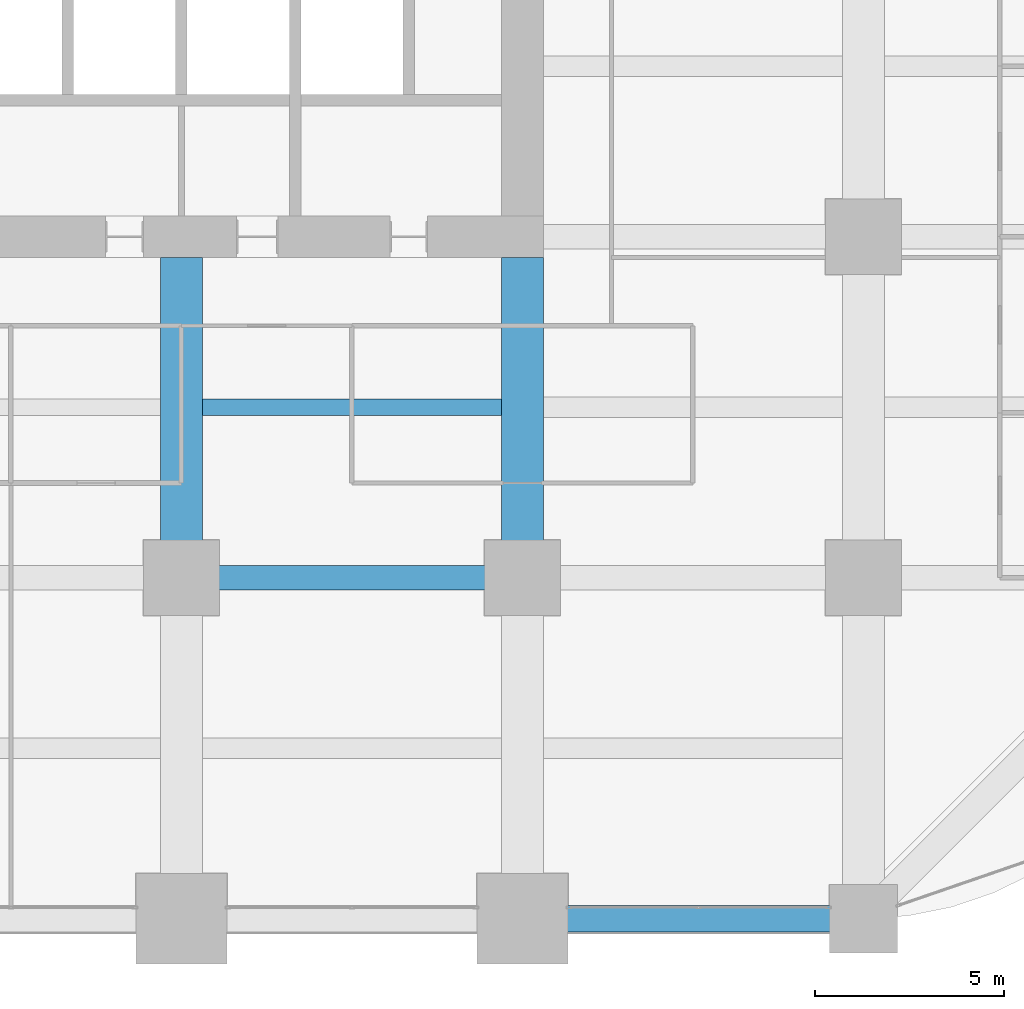
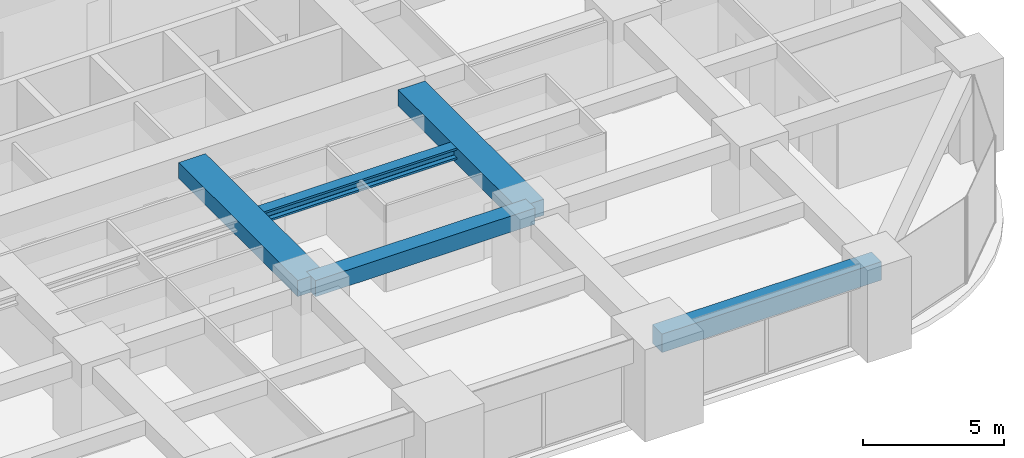
# One storey, part 15 of 41: 5 beams.
"""IFC4 building model written with IfcOpenShell, lengths in metres."""

from ifc_helpers import new_model, si_unit, direction, frame, origin, origin_2d, place, context, subcontext, project, spatial, rectangle, i_section, extrude, material, material_profile, profile_set, type_object, element, save


model = new_model("IFC4")

# Units and contexts
model_context = context("Model", 3, precision=1e-05, world=origin(), true_north=direction((0.0, 1.0)))
body_context = subcontext(model_context, "Body", "Model", "MODEL_VIEW")
ifc_project = project(units=[si_unit("LENGTHUNIT", "METRE"), si_unit("AREAUNIT", "SQUARE_METRE"), si_unit("VOLUMEUNIT", "CUBIC_METRE"), si_unit("PLANEANGLEUNIT", "RADIAN"), si_unit("MASSUNIT", "GRAM", prefix="KILO")], contexts=[model_context])

# Site, building, storey
site_placement = place(None, origin())
site = spatial("IfcSite", under=ifc_project, at=site_placement, CompositionType="ELEMENT")
building_placement = place(site_placement, origin())
building = spatial("IfcBuilding", under=site, at=building_placement, Name="Zorevar Civic Tower", CompositionType="ELEMENT")
storey_placement = place(building_placement, frame((0.0, 0.0, 113.0)))
storey = spatial("IfcBuildingStorey", under=building, at=storey_placement, Name="L27", CompositionType="ELEMENT", Elevation=113.0)

# Beams
ifc_material_1 = material(Name="Concrete C50/60", Category="concrete")
ifc_material_profile_1 = material_profile(ifc_material_1, rectangle(XDim=1.10009765625, YDim=0.699951171875, at=origin_2d()), Name="RC 1100x700")
ifc_profile_set_1 = profile_set([ifc_material_profile_1], Name="Concrete C50/60")
beam_type_1 = type_object("IfcBeamType", Name="Beam RC 1100x700", PredefinedType="BEAM", material=ifc_profile_set_1)
for number, where, z_axis, x_axis, name in (
    (1, (36.0, 9.0, 3.39990234375), (0.0, 1.0, 0.0), (-1.0, 0.0, 0.0), "Girder L28"),
    (2, (45.0, 9.0, 3.39990234375), (0.0, 1.0, 0.0), (-1.0, 0.0, 0.0), "Girder L28"),
):
    element("IfcBeam", number, at=place(storey_placement, frame(where, z_axis=z_axis, x_axis=x_axis)), inside=storey, type_object=beam_type_1, Name=name, PredefinedType="BEAM", context=body_context, shape_type="SweptSolid", body=[
        extrude(rectangle(XDim=1.10009765625, YDim=0.699951171875, at=origin_2d()), origin(), (0.0, 0.0, 1.0), 8.449951171875),
    ])
ifc_material_2 = material(Name="Concrete C50/60", Category="concrete")
ifc_material_profile_2 = material_profile(ifc_material_2, rectangle(XDim=0.64990234375, YDim=0.699951171875, at=origin_2d()), Name="RC 650x700")
ifc_profile_set_2 = profile_set([ifc_material_profile_2], Name="Concrete C50/60")
beam_type_2 = type_object("IfcBeamType", Name="Beam RC 650x700", PredefinedType="BEAM", material=ifc_profile_set_2)
beam_1_placement = place(storey_placement, frame((36.0, 9.0, 3.39990234375), z_axis=(1.0, 0.0, 0.0), x_axis=(0.0, 1.0, 0.0)))
element("IfcBeam", 3, at=beam_1_placement, inside=storey, type_object=beam_type_2, Name="Girder L28", PredefinedType="BEAM", context=body_context, shape_type="SweptSolid", body=[
    extrude(rectangle(XDim=0.64990234375, YDim=0.699951171875, at=origin_2d()), origin(), (0.0, 0.0, 1.0), 9.0),
])
ifc_material_3 = material(Name="Steel S460M (HISTAR 460)", Category="steel")
ifc_material_profile_3 = material_profile(ifc_material_3, i_section(OverallWidth=0.431884765625, OverallDepth=0.498046875, WebThickness=0.0556640625, FlangeThickness=0.0888671875, FilletRadius=0.014892578125, at=origin_2d()), Name="HD 400x744")
ifc_profile_set_3 = profile_set([ifc_material_profile_3], Name="Steel S460M (HISTAR 460)")
beam_type_3 = type_object("IfcBeamType", Name="Core bay beam HD 400x744", PredefinedType="BEAM", material=ifc_profile_set_3)
beam_2_placement = place(storey_placement, frame((36.550048828125, 13.5, 3.5009765625), z_axis=(1.0, 0.0, 0.0), x_axis=(0.0, 1.0, 0.0)))
element("IfcBeam", 4, at=beam_2_placement, inside=storey, type_object=beam_type_3, Name="Secondary beam L28", PredefinedType="BEAM", context=body_context, shape_type="SweptSolid", body=[
    extrude(i_section(OverallWidth=0.431884765625, OverallDepth=0.498046875, WebThickness=0.0556640625, FlangeThickness=0.0888671875, FilletRadius=0.014892578125, at=origin_2d()), origin(), (0.0, 0.0, 1.0), 7.89990234375),
])
ifc_material_4 = material(Name="Concrete C50/60", Category="concrete")
ifc_material_profile_4 = material_profile(ifc_material_4, rectangle(XDim=0.699951171875, YDim=0.800048828125, at=origin_2d()), Name="RC 700x800")
ifc_profile_set_4 = profile_set([ifc_material_profile_4], Name="Concrete C50/60")
beam_type_4 = type_object("IfcBeamType", Name="Edge beam RC 700x800", PredefinedType="SPANDREL", material=ifc_profile_set_4)
beam_3_placement = place(storey_placement, frame((45.0, 0.0, 3.35009765625), z_axis=(1.0, 0.0, 0.0), x_axis=(0.0, 1.0, 0.0)))
element("IfcBeam", 5, at=beam_3_placement, inside=storey, type_object=beam_type_4, Name="Edge beam L28", PredefinedType="SPANDREL", context=body_context, shape_type="SweptSolid", body=[
    extrude(rectangle(XDim=0.699951171875, YDim=0.800048828125, at=origin_2d()), origin(), (0.0, 0.0, 1.0), 9.0),
])

save(model, "model.ifc")
